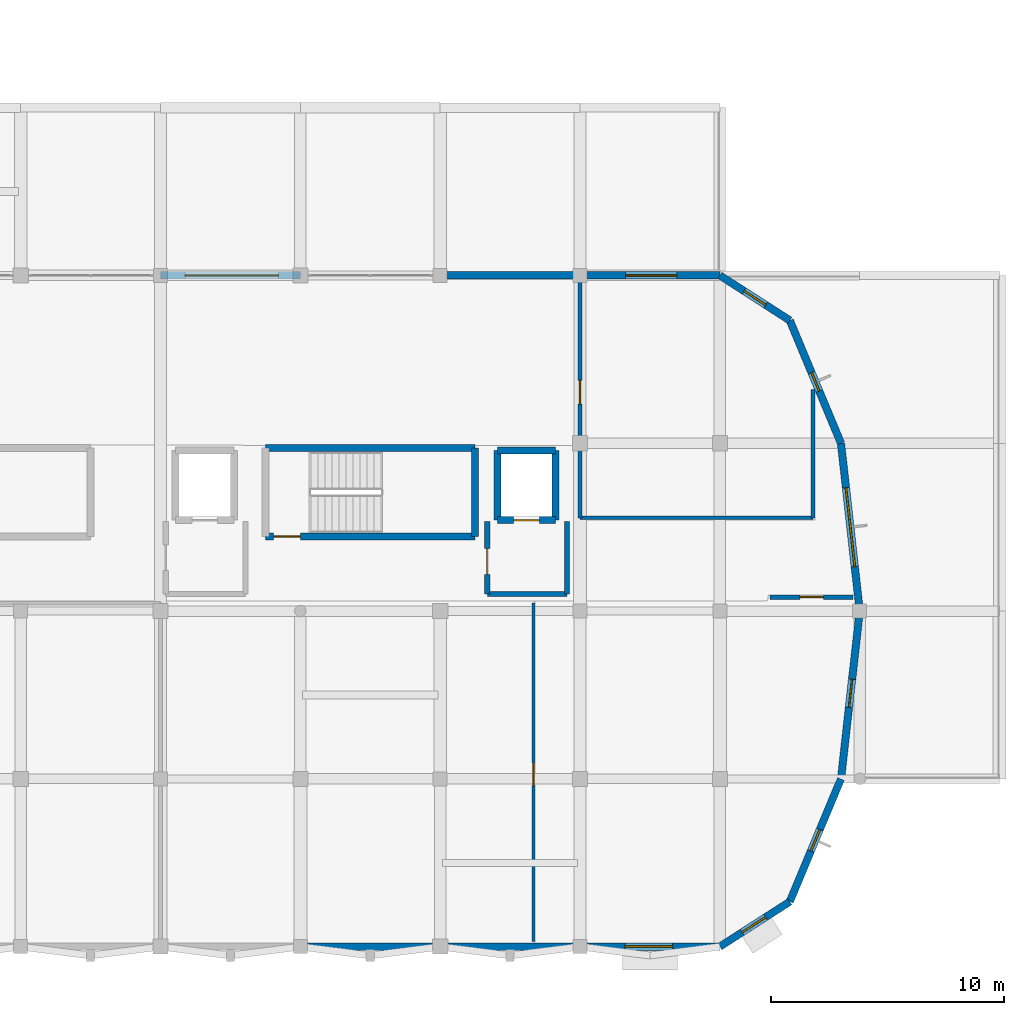
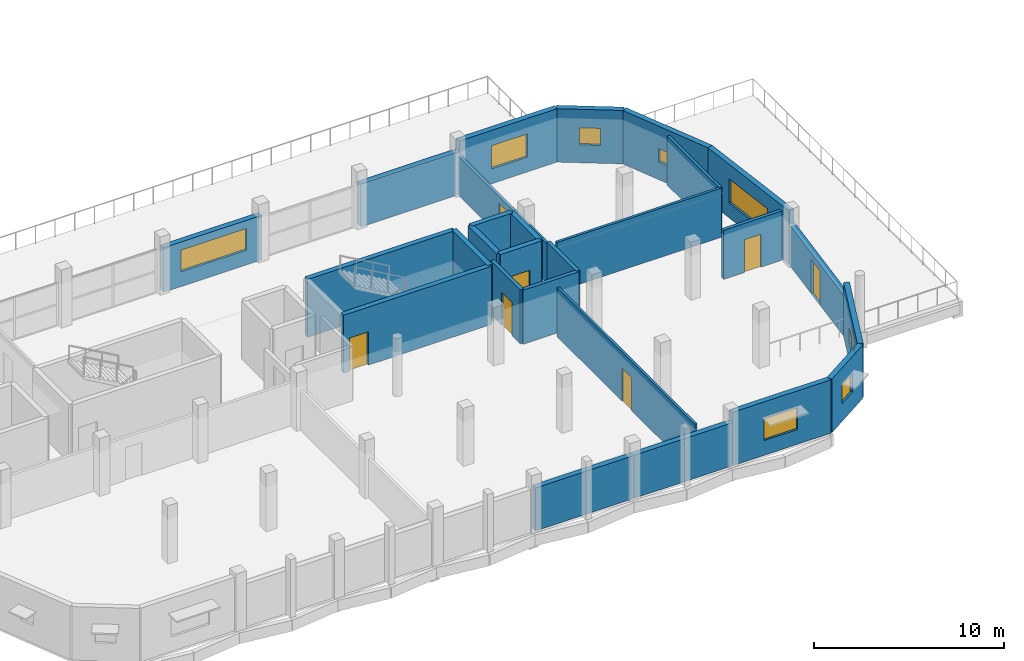
# One storey, part 13 of 19: 27 walls, 8 windows, 7 doors, 15 openings.
"""IFC4 building model written with IfcOpenShell, lengths in metres."""

from ifc_helpers import new_model, si_unit, direction, frame, frame_2d, origin, place, context, subcontext, project, spatial, rectangle, extrude, material, layer, layer_set, type_object, element, fill, save


model = new_model("IFC4")

# Units and contexts
model_context = context("Model", 3, precision=1e-05, world=origin(), true_north=direction((0.0, 1.0)))
body_context = subcontext(model_context, "Body", "Model", "MODEL_VIEW")
ifc_project = project(units=[si_unit("LENGTHUNIT", "METRE"), si_unit("AREAUNIT", "SQUARE_METRE"), si_unit("VOLUMEUNIT", "CUBIC_METRE"), si_unit("PLANEANGLEUNIT", "RADIAN"), si_unit("MASSUNIT", "GRAM", prefix="KILO")], contexts=[model_context])

# Site, building, storey
site_placement = place(None, origin())
site = spatial("IfcSite", under=ifc_project, at=site_placement, CompositionType="ELEMENT")
building_placement = place(site_placement, origin())
building = spatial("IfcBuilding", under=site, at=building_placement, Name="Dunvalen Ferry Terminal", CompositionType="ELEMENT")
storey_placement = place(building_placement, frame((0.0, 0.0, 13.580078125)))
storey = spatial("IfcBuildingStorey", under=building, at=storey_placement, Name="L03", CompositionType="ELEMENT", Elevation=13.580078125)

# Walls
ifc_material_1 = material(Name="Precast concrete C40/50", Category="concrete")
ifc_layer_1 = layer(ifc_material_1, 0.320068359375, Name="Precast concrete C40/50")
ifc_layer_set_1 = layer_set([ifc_layer_1], Name="Precast concrete C40/50")
wall_type_1 = type_object("IfcWallType", Name="ENV-WL-SPN320", PredefinedType="SOLIDWALL", material=ifc_layer_set_1)
for number, where, z_axis, x_axis, name in (
    (1, (42.0, 0.0, 0.0), (0.0, 0.0, 1.0), (1.0, 0.0, 0.0), "L03 Streamline Moderne Facade Wall 01.05"),
    (2, (48.0, 0.0, 0.0), (0.0, 0.0, 1.0), (1.0, 0.0, 0.0), "L03 Streamline Moderne Facade Wall 01.06"),
):
    element("IfcWall", number, at=place(storey_placement, frame(where, z_axis=z_axis, x_axis=x_axis)), inside=storey, type_object=wall_type_1, Name=name, PredefinedType="SOLIDWALL", context=body_context, shape_type="SweptSolid", body=[
        extrude(rectangle(XDim=6.0, YDim=0.320068359375, at=frame_2d((3.0, 0.0))), origin(), (0.0, 0.0, 1.0), 2.77001953125),
    ])

# Wall, opening, window
wall_1_placement = place(storey_placement, frame((54.0, 0.0, 0.0), z_axis=(0.0, 0.0, 1.0), x_axis=(1.0, 0.0, 0.0)))
wall_1 = element("IfcWall", 3, at=wall_1_placement, inside=storey, type_object=wall_type_1, Name="L03 Streamline Moderne Facade Wall 01.07", PredefinedType="SOLIDWALL", context=body_context, shape_type="SweptSolid", body=[
    extrude(rectangle(XDim=6.0, YDim=0.320068359375, at=frame_2d((3.0, 0.0))), origin(), (0.0, 0.0, 1.0), 3.43994140625),
])
opening_1_placement = place(wall_1_placement, frame((1.9248046875, 0.0, 0.949951171875)))
opening_1 = element("IfcOpeningElement", 4, at=opening_1_placement, cuts=wall_1, Name="Opening W-40", PredefinedType="OPENING", context=body_context, shape_type="SweptSolid", body=[
    extrude(rectangle(XDim=2.050048828125, YDim=1.39990234375, at=frame_2d((1.02490234375, 0.699951171875))), frame((0.0, 0.169921875, 0.0), z_axis=(0.0, -1.0, 0.0), x_axis=(1.0, 0.0, 0.0)), (0.0, 0.0, 1.0), 0.340087890625),
])
ifc_material_2 = material(Name="Thermally broken aluminium and double glazing", Category="aluminium")
window_type_1 = type_object("IfcWindowType", Name="ENV-WIN-RIB-40", PartitioningType="SINGLE_PANEL", PredefinedType="WINDOW", material=ifc_material_2)
window_1_placement = place(opening_1_placement, origin())
window_1 = element("IfcWindow", 5, at=window_1_placement, inside=storey, type_object=window_type_1, Name="L03 Streamline Ribbon Window 01.07", OverallHeight=1.39990234375, OverallWidth=2.050048828125, PartitioningType="SINGLE_PANEL", PredefinedType="WINDOW", context=body_context, shape_type="SweptSolid", body=[
    extrude(rectangle(XDim=2.050048828125, YDim=1.39990234375, at=frame_2d((1.02490234375, 0.699951171875))), frame((0.0, 0.030029296875, 0.0), z_axis=(0.0, -1.0, 0.0), x_axis=(1.0, 0.0, 0.0)), (0.0, 0.0, 1.0), 0.06005859375),
])
fill(opening_1, window_1)

wall_2_placement = place(storey_placement, frame((60.0, 0.0, 0.0), z_axis=(0.0, 0.0, 1.0), x_axis=(0.841098403344, 0.540882127541, 0.0)))
wall_2 = element("IfcWall", 6, at=wall_2_placement, inside=storey, type_object=wall_type_1, Name="L03 Streamline Moderne Facade Wall 02.01", PredefinedType="SOLIDWALL", context=body_context, shape_type="SweptSolid", body=[
    extrude(rectangle(XDim=3.566650390625, YDim=0.320068359375, at=frame_2d((1.783203125, 0.0))), origin(), (0.0, 0.0, 1.0), 3.43994140625),
])
opening_2_placement = place(wall_2_placement, frame((1.132568359375, 0.0, 1.14990234375)))
opening_2 = element("IfcOpeningElement", 7, at=opening_2_placement, cuts=wall_2, Name="Opening W-17", PredefinedType="OPENING", context=body_context, shape_type="SweptSolid", body=[
    extrude(rectangle(XDim=1.199951171875, YDim=1.199951171875, at=frame_2d((0.60009765625, 0.60009765625))), frame((0.0, 0.169921875, 0.0), z_axis=(0.0, -1.0, 0.0), x_axis=(1.0, 0.0, 0.0)), (0.0, 0.0, 1.0), 0.340087890625),
])
window_type_2 = type_object("IfcWindowType", Name="ENV-WIN-PRT-17", PartitioningType="SINGLE_PANEL", PredefinedType="WINDOW", material=ifc_material_2)
window_2_placement = place(opening_2_placement, origin())
window_2 = element("IfcWindow", 8, at=window_2_placement, inside=storey, type_object=window_type_2, Name="L03 Streamline Ribbon Window 02.01", OverallHeight=1.199951171875, OverallWidth=1.199951171875, PartitioningType="SINGLE_PANEL", PredefinedType="WINDOW", context=body_context, shape_type="SweptSolid", body=[
    extrude(rectangle(XDim=1.199951171875, YDim=1.199951171875, at=frame_2d((0.60009765625, 0.60009765625))), frame((0.0, 0.030029296875, 0.0), z_axis=(0.0, -1.0, 0.0), x_axis=(1.0, 0.0, 0.0)), (0.0, 0.0, 1.0), 0.06005859375),
])
fill(opening_2, window_2)

wall_3_placement = place(storey_placement, frame((63.0, 1.92919921875, 0.0), z_axis=(0.0, 0.0, 1.0), x_axis=(0.384636636219, 0.923068067955, 0.0)))
wall_3 = element("IfcWall", 9, at=wall_3_placement, inside=storey, type_object=wall_type_1, Name="L03 Streamline Moderne Facade Wall 03.01", PredefinedType="SOLIDWALL", context=body_context, shape_type="SweptSolid", body=[
    extrude(rectangle(XDim=5.7099609375, YDim=0.320068359375, at=frame_2d((2.85498046875, 0.0))), origin(), (0.0, 0.0, 1.0), 3.43994140625),
])
opening_3_placement = place(wall_3_placement, frame((2.35498046875, 0.0, 1.14990234375)))
opening_3 = element("IfcOpeningElement", 10, at=opening_3_placement, cuts=wall_3, Name="Opening W-18", PredefinedType="OPENING", context=body_context, shape_type="SweptSolid", body=[
    extrude(rectangle(XDim=1.0, YDim=1.0, at=frame_2d((0.5, 0.5))), frame((0.0, 0.169921875, 0.0), z_axis=(0.0, -1.0, 0.0), x_axis=(1.0, 0.0, 0.0)), (0.0, 0.0, 1.0), 0.340087890625),
])
window_type_3 = type_object("IfcWindowType", Name="ENV-WIN-PRT-18", PartitioningType="SINGLE_PANEL", PredefinedType="WINDOW", material=ifc_material_2)
window_3_placement = place(opening_3_placement, origin())
window_3 = element("IfcWindow", 11, at=window_3_placement, inside=storey, type_object=window_type_3, Name="L03 Streamline Ribbon Window 03.01", OverallHeight=1.0, OverallWidth=1.0, PartitioningType="SINGLE_PANEL", PredefinedType="WINDOW", context=body_context, shape_type="SweptSolid", body=[
    extrude(rectangle(XDim=1.0, YDim=1.0, at=frame_2d((0.5, 0.5))), frame((0.0, 0.030029296875, 0.0), z_axis=(0.0, -1.0, 0.0), x_axis=(1.0, 0.0, 0.0)), (0.0, 0.0, 1.0), 0.06005859375),
])
fill(opening_3, window_3)

# Wall, opening, door
wall_4_placement = place(storey_placement, frame((65.1962890625, 7.199951171875, 0.0), z_axis=(0.0, 0.0, 1.0), x_axis=(0.110938234759, 0.99382730294, 0.0)))
wall_4 = element("IfcWall", 12, at=wall_4_placement, inside=storey, type_object=wall_type_1, Name="L03 Streamline Moderne Facade Wall 04.01", PredefinedType="SOLIDWALL", context=body_context, shape_type="SweptSolid", body=[
    extrude(rectangle(XDim=7.24462890625, YDim=0.320068359375, at=frame_2d((3.622314453125, 0.0))), origin(), (0.0, 0.0, 1.0), 2.619873046875),
])
opening_4_placement = place(wall_4_placement, frame((3.09912109375, 0.0, 0.0)))
opening_4 = element("IfcOpeningElement", 13, at=opening_4_placement, cuts=wall_4, Name="Opening ED-05", PredefinedType="OPENING", context=body_context, shape_type="SweptSolid", body=[
    extrude(rectangle(XDim=1.199951171875, YDim=2.199951171875, at=frame_2d((0.60009765625, 1.10009765625))), frame((0.0, 0.169921875, 0.0), z_axis=(0.0, -1.0, 0.0), x_axis=(1.0, 0.0, 0.0)), (0.0, 0.0, 1.0), 0.340087890625),
])
ifc_material_3 = material(Name="Marine grade powder-coated aluminium and laminated glass", Category="aluminium")
door_type_1 = type_object("IfcDoorType", Name="ENV-DR-EXT-1200", OperationType="NOTDEFINED", PredefinedType="DOOR", material=ifc_material_3)
door_1_placement = place(opening_4_placement, frame((1.199951171875, 0.0, 0.0), z_axis=(0.0, 0.0, 1.0), x_axis=(-1.0, 0.0, 0.0)))
door_1 = element("IfcDoor", 14, at=door_1_placement, inside=storey, type_object=door_type_1, Name="L03 Stepped Harbour Terrace Door 3.0", OperationType="SINGLE_SWING_RIGHT", OverallHeight=2.199951171875, OverallWidth=1.199951171875, PredefinedType="DOOR", context=body_context, shape_type="SweptSolid", body=[
    extrude(rectangle(XDim=1.199951171875, YDim=2.199951171875, at=frame_2d((0.60009765625, 1.10009765625))), frame((0.0, 0.02490234375, 0.0), z_axis=(0.0, -1.0, 0.0), x_axis=(1.0, 0.0, 0.0)), (0.0, 0.0, 1.0), 0.050048828125),
])
fill(opening_4, door_1)

# Wall, opening, window
wall_5_placement = place(storey_placement, frame((66.0, 14.39990234375, 0.0), z_axis=(0.0, 0.0, 1.0), x_axis=(-0.110934519414, 0.993827717667, 0.0)))
wall_5 = element("IfcWall", 15, at=wall_5_placement, inside=storey, type_object=wall_type_1, Name="L03 Streamline Moderne Facade Wall 05.01", PredefinedType="SOLIDWALL", context=body_context, shape_type="SweptSolid", body=[
    extrude(rectangle(XDim=7.244873046875, YDim=0.320068359375, at=frame_2d((3.62255859375, 0.0))), origin(), (0.0, 0.0, 1.0), 3.43994140625),
])
opening_5_placement = place(wall_5_placement, frame((1.92236328125, 0.0, 0.949951171875)))
opening_5 = element("IfcOpeningElement", 16, at=opening_5_placement, cuts=wall_5, Name="Opening W-03", PredefinedType="OPENING", context=body_context, shape_type="SweptSolid", body=[
    extrude(rectangle(XDim=3.39990234375, YDim=1.550048828125, at=frame_2d((1.699951171875, 0.77490234375))), frame((0.0, 0.169921875, 0.0), z_axis=(0.0, -1.0, 0.0), x_axis=(1.0, 0.0, 0.0)), (0.0, 0.0, 1.0), 0.340087890625),
])
window_type_4 = type_object("IfcWindowType", Name="ENV-WIN-RIB-03", PartitioningType="SINGLE_PANEL", PredefinedType="WINDOW", material=ifc_material_2)
window_4_placement = place(opening_5_placement, origin())
window_4 = element("IfcWindow", 17, at=window_4_placement, inside=storey, type_object=window_type_4, Name="L03 Streamline Ribbon Window 05.01", OverallHeight=1.550048828125, OverallWidth=3.39990234375, PartitioningType="SINGLE_PANEL", PredefinedType="WINDOW", context=body_context, shape_type="SweptSolid", body=[
    extrude(rectangle(XDim=3.39990234375, YDim=1.550048828125, at=frame_2d((1.699951171875, 0.77490234375))), frame((0.0, 0.030029296875, 0.0), z_axis=(0.0, -1.0, 0.0), x_axis=(1.0, 0.0, 0.0)), (0.0, 0.0, 1.0), 0.06005859375),
])
fill(opening_5, window_4)

wall_6_placement = place(storey_placement, frame((65.1962890625, 21.60009765625, 0.0), z_axis=(0.0, 0.0, 1.0), x_axis=(-0.384636636219, 0.923068067955, 0.0)))
wall_6 = element("IfcWall", 18, at=wall_6_placement, inside=storey, type_object=wall_type_1, Name="L03 Streamline Moderne Facade Wall 06.01", PredefinedType="SOLIDWALL", context=body_context, shape_type="SweptSolid", body=[
    extrude(rectangle(XDim=5.7099609375, YDim=0.320068359375, at=frame_2d((2.85498046875, 0.0))), origin(), (0.0, 0.0, 1.0), 3.43994140625),
])
opening_6_placement = place(wall_6_placement, frame((2.429931640625, 0.0, 1.14990234375)))
opening_6 = element("IfcOpeningElement", 19, at=opening_6_placement, cuts=wall_6, Name="Opening W-20", PredefinedType="OPENING", context=body_context, shape_type="SweptSolid", body=[
    extrude(rectangle(XDim=0.85009765625, YDim=0.85009765625, at=frame_2d((0.425048828125, 0.425048828125))), frame((0.0, 0.169921875, 0.0), z_axis=(0.0, -1.0, 0.0), x_axis=(1.0, 0.0, 0.0)), (0.0, 0.0, 1.0), 0.340087890625),
])
window_type_5 = type_object("IfcWindowType", Name="ENV-WIN-PRT-20", PartitioningType="SINGLE_PANEL", PredefinedType="WINDOW", material=ifc_material_2)
window_5_placement = place(opening_6_placement, origin())
window_5 = element("IfcWindow", 20, at=window_5_placement, inside=storey, type_object=window_type_5, Name="L03 Streamline Ribbon Window 06.01", OverallHeight=0.85009765625, OverallWidth=0.85009765625, PartitioningType="SINGLE_PANEL", PredefinedType="WINDOW", context=body_context, shape_type="SweptSolid", body=[
    extrude(rectangle(XDim=0.85009765625, YDim=0.85009765625, at=frame_2d((0.425048828125, 0.425048828125))), frame((0.0, 0.030029296875, 0.0), z_axis=(0.0, -1.0, 0.0), x_axis=(1.0, 0.0, 0.0)), (0.0, 0.0, 1.0), 0.06005859375),
])
fill(opening_6, window_5)

wall_7_placement = place(storey_placement, frame((63.0, 26.870849609375, 0.0), z_axis=(0.0, 0.0, 1.0), x_axis=(-0.841098403344, 0.540882127541, 0.0)))
wall_7 = element("IfcWall", 21, at=wall_7_placement, inside=storey, type_object=wall_type_1, Name="L03 Streamline Moderne Facade Wall 07.01", PredefinedType="SOLIDWALL", context=body_context, shape_type="SweptSolid", body=[
    extrude(rectangle(XDim=3.566650390625, YDim=0.320068359375, at=frame_2d((1.783203125, 0.0))), origin(), (0.0, 0.0, 1.0), 3.43994140625),
])
opening_7_placement = place(wall_7_placement, frame((1.2333984375, 0.0, 1.14990234375)))
opening_7 = element("IfcOpeningElement", 22, at=opening_7_placement, cuts=wall_7, Name="Opening W-41", PredefinedType="OPENING", context=body_context, shape_type="SweptSolid", body=[
    extrude(rectangle(XDim=1.10009765625, YDim=1.10009765625, at=frame_2d((0.550048828125, 0.550048828125))), frame((0.0, 0.169921875, 0.0), z_axis=(0.0, -1.0, 0.0), x_axis=(1.0, 0.0, 0.0)), (0.0, 0.0, 1.0), 0.340087890625),
])
window_type_6 = type_object("IfcWindowType", Name="ENV-WIN-PRT-41", PartitioningType="SINGLE_PANEL", PredefinedType="WINDOW", material=ifc_material_2)
window_6_placement = place(opening_7_placement, origin())
window_6 = element("IfcWindow", 23, at=window_6_placement, inside=storey, type_object=window_type_6, Name="L03 Streamline Ribbon Window 07.01", OverallHeight=1.10009765625, OverallWidth=1.10009765625, PartitioningType="SINGLE_PANEL", PredefinedType="WINDOW", context=body_context, shape_type="SweptSolid", body=[
    extrude(rectangle(XDim=1.10009765625, YDim=1.10009765625, at=frame_2d((0.550048828125, 0.550048828125))), frame((0.0, 0.030029296875, 0.0), z_axis=(0.0, -1.0, 0.0), x_axis=(1.0, 0.0, 0.0)), (0.0, 0.0, 1.0), 0.06005859375),
])
fill(opening_7, window_6)

wall_8_placement = place(storey_placement, frame((60.0, 28.800048828125, 0.0), z_axis=(0.0, 0.0, 1.0), x_axis=(-1.0, 0.0, 0.0)))
wall_8 = element("IfcWall", 24, at=wall_8_placement, inside=storey, type_object=wall_type_1, Name="L03 Streamline Moderne Facade Wall 08.01", PredefinedType="SOLIDWALL", context=body_context, shape_type="SweptSolid", body=[
    extrude(rectangle(XDim=6.0, YDim=0.320068359375, at=frame_2d((3.0, 0.0))), origin(), (0.0, 0.0, 1.0), 3.43994140625),
])
opening_8_placement = place(wall_8_placement, frame((1.84912109375, 0.0, 0.949951171875)))
opening_8 = element("IfcOpeningElement", 25, at=opening_8_placement, cuts=wall_8, Name="Opening W-06", PredefinedType="OPENING", context=body_context, shape_type="SweptSolid", body=[
    extrude(rectangle(XDim=2.199951171875, YDim=1.5, at=frame_2d((1.10009765625, 0.75))), frame((0.0, 0.169921875, 0.0), z_axis=(0.0, -1.0, 0.0), x_axis=(1.0, 0.0, 0.0)), (0.0, 0.0, 1.0), 0.340087890625),
])
window_type_7 = type_object("IfcWindowType", Name="ENV-WIN-RIB-06", PartitioningType="SINGLE_PANEL", PredefinedType="WINDOW", material=ifc_material_2)
window_7_placement = place(opening_8_placement, origin())
window_7 = element("IfcWindow", 26, at=window_7_placement, inside=storey, type_object=window_type_7, Name="L03 Streamline Ribbon Window 08.01", OverallHeight=1.5, OverallWidth=2.199951171875, PartitioningType="SINGLE_PANEL", PredefinedType="WINDOW", context=body_context, shape_type="SweptSolid", body=[
    extrude(rectangle(XDim=2.199951171875, YDim=1.5, at=frame_2d((1.10009765625, 0.75))), frame((0.0, 0.030029296875, 0.0), z_axis=(0.0, -1.0, 0.0), x_axis=(1.0, 0.0, 0.0)), (0.0, 0.0, 1.0), 0.06005859375),
])
fill(opening_8, window_7)

# Wall
wall_9_placement = place(storey_placement, frame((54.0, 28.800048828125, 0.0), z_axis=(0.0, 0.0, 1.0), x_axis=(-1.0, 0.0, 0.0)))
element("IfcWall", 27, at=wall_9_placement, inside=storey, type_object=wall_type_1, Name="L03 Streamline Moderne Facade Wall 08.02", PredefinedType="SOLIDWALL", context=body_context, shape_type="SweptSolid", body=[
    extrude(rectangle(XDim=6.0, YDim=0.320068359375, at=frame_2d((3.0, 0.0))), origin(), (0.0, 0.0, 1.0), 2.77001953125),
])

# Wall, opening, window
wall_10_placement = place(storey_placement, frame((42.0, 28.800048828125, 0.0), z_axis=(0.0, 0.0, 1.0), x_axis=(-1.0, 0.0, 0.0)))
wall_10 = element("IfcWall", 28, at=wall_10_placement, inside=storey, type_object=wall_type_1, Name="L03 Streamline Moderne Facade Wall 08.04", PredefinedType="SOLIDWALL", context=body_context, shape_type="SweptSolid", body=[
    extrude(rectangle(XDim=6.0, YDim=0.320068359375, at=frame_2d((3.0, 0.0))), origin(), (0.0, 0.0, 1.0), 2.869873046875),
])
opening_9_placement = place(wall_10_placement, frame((0.94775390625, 0.0, 0.949951171875)))
opening_9 = element("IfcOpeningElement", 29, at=opening_9_placement, cuts=wall_10, Name="Opening W-07", PredefinedType="OPENING", context=body_context, shape_type="SweptSolid", body=[
    extrude(rectangle(XDim=4.0, YDim=1.39990234375, at=frame_2d((2.0, 0.699951171875))), frame((0.0, 0.169921875, 0.0), z_axis=(0.0, -1.0, 0.0), x_axis=(1.0, 0.0, 0.0)), (0.0, 0.0, 1.0), 0.340087890625),
])
window_type_8 = type_object("IfcWindowType", Name="ENV-WIN-RIB-07", PartitioningType="SINGLE_PANEL", PredefinedType="WINDOW", material=ifc_material_2)
window_8_placement = place(opening_9_placement, origin())
window_8 = element("IfcWindow", 30, at=window_8_placement, inside=storey, type_object=window_type_8, Name="L03 Streamline Ribbon Window 08.04", OverallHeight=1.39990234375, OverallWidth=4.0, PartitioningType="SINGLE_PANEL", PredefinedType="WINDOW", context=body_context, shape_type="SweptSolid", body=[
    extrude(rectangle(XDim=4.0, YDim=1.39990234375, at=frame_2d((2.0, 0.699951171875))), frame((0.0, 0.030029296875, 0.0), z_axis=(0.0, -1.0, 0.0), x_axis=(1.0, 0.0, 0.0)), (0.0, 0.0, 1.0), 0.06005859375),
])
fill(opening_9, window_8)

# Wall, opening, door
ifc_material_4 = material(Name="Autoclaved aerated concrete blockwork", Category="masonry")
ifc_layer_2 = layer(ifc_material_4, 0.199951171875, Name="Autoclaved aerated concrete blockwork")
ifc_layer_set_2 = layer_set([ifc_layer_2], Name="Autoclaved aerated concrete blockwork")
wall_type_2 = type_object("IfcWallType", Name="INT-WL-CMP200", PredefinedType="PARTITIONING", material=ifc_layer_set_2)
wall_11_placement = place(storey_placement, frame((65.711669921875, 15.0, 0.0), z_axis=(0.0, 0.0, 1.0), x_axis=(-1.0, 0.0, 0.0)))
wall_11 = element("IfcWall", 31, at=wall_11_placement, inside=storey, type_object=wall_type_2, Name="L03 L03 Marine Radar Telemetry and AIS Server Room Partition 2", PredefinedType="PARTITIONING", context=body_context, shape_type="SweptSolid", body=[
    extrude(rectangle(XDim=3.5517578125, YDim=0.199951171875, at=frame_2d((1.77587890625, 0.0))), origin(), (0.0, 0.0, 1.0), 3.169921875),
])
opening_10_placement = place(wall_11_placement, frame((1.27587890625, 0.0, 0.0)))
opening_10 = element("IfcOpeningElement", 32, at=opening_10_placement, cuts=wall_11, Name="Opening ID-10", PredefinedType="OPENING", context=body_context, shape_type="SweptSolid", body=[
    extrude(rectangle(XDim=1.0, YDim=2.1201171875, at=frame_2d((0.5, 1.06005859375))), frame((0.0, 0.10986328125, 0.0), z_axis=(0.0, -1.0, 0.0), x_axis=(1.0, 0.0, 0.0)), (0.0, 0.0, 1.0), 0.219970703125),
])
ifc_material_5 = material(Name="FSC European oak acoustic fire door", Category="wood")
door_type_2 = type_object("IfcDoorType", Name="INT-DR-OFF-1000", OperationType="NOTDEFINED", PredefinedType="DOOR", material=ifc_material_5)
door_2_placement = place(opening_10_placement, origin())
door_2 = element("IfcDoor", 33, at=door_2_placement, inside=storey, type_object=door_type_2, Name="L03 Marine Radar Telemetry and AIS Server Room Door", OperationType="SINGLE_SWING_LEFT", OverallHeight=2.1201171875, OverallWidth=1.0, PredefinedType="DOOR", context=body_context, shape_type="SweptSolid", body=[
    extrude(rectangle(XDim=1.0, YDim=2.1201171875, at=frame_2d((0.5, 1.06005859375))), frame((0.0, 0.02490234375, 0.0), z_axis=(0.0, -1.0, 0.0), x_axis=(1.0, 0.0, 0.0)), (0.0, 0.0, 1.0), 0.050048828125),
])
fill(opening_10, door_2)

ifc_material_6 = material(Name="Concrete C35/45", Category="concrete")
ifc_layer_3 = layer(ifc_material_6, 0.219970703125, Name="Concrete C35/45")
ifc_layer_set_3 = layer_set([ifc_layer_3], Name="Concrete C35/45")
wall_type_3 = type_object("IfcWallType", Name="INT-WL-CMP220", PredefinedType="SOLIDWALL", material=ifc_layer_set_3)
wall_12_placement = place(storey_placement, frame((50.02001953125, 18.25, 0.0), z_axis=(0.0, 0.0, 1.0), x_axis=(0.0, -1.0, 0.0)))
wall_12 = element("IfcWall", 34, at=wall_12_placement, inside=storey, type_object=wall_type_3, Name="L03 L03 Firefighting Lift Lobby LF-02 Partition 1", PredefinedType="SOLIDWALL", context=body_context, shape_type="SweptSolid", body=[
    extrude(rectangle(XDim=3.110107421875, YDim=0.219970703125, at=frame_2d((1.55517578125, 0.0))), origin(), (0.0, 0.0, 1.0), 3.47998046875),
])
opening_11_placement = place(wall_12_placement, frame((1.171142578125, 0.0, 0.0)))
opening_11 = element("IfcOpeningElement", 35, at=opening_11_placement, cuts=wall_12, Name="Opening ID-03", PredefinedType="OPENING", context=body_context, shape_type="SweptSolid", body=[
    extrude(rectangle(XDim=1.10009765625, YDim=2.14990234375, at=frame_2d((0.550048828125, 1.074951171875))), frame((0.0, 0.1201171875, 0.0), z_axis=(0.0, -1.0, 0.0), x_axis=(1.0, 0.0, 0.0)), (0.0, 0.0, 1.0), 0.239990234375),
])
ifc_material_7 = material(Name="Powder-coated steel fire door", Category="steel")
door_type_3 = type_object("IfcDoorType", Name="INT-DR-FFL-1100", OperationType="NOTDEFINED", PredefinedType="DOOR", material=ifc_material_7)
door_3_placement = place(opening_11_placement, origin())
door_3 = element("IfcDoor", 36, at=door_3_placement, inside=storey, type_object=door_type_3, Name="L03 Firefighting Lift Lobby LF-02 Door", OperationType="SINGLE_SWING_RIGHT", OverallHeight=2.14990234375, OverallWidth=1.10009765625, PredefinedType="DOOR", context=body_context, shape_type="SweptSolid", body=[
    extrude(rectangle(XDim=1.10009765625, YDim=2.14990234375, at=frame_2d((0.550048828125, 1.074951171875))), frame((0.0, 0.02490234375, 0.0), z_axis=(0.0, -1.0, 0.0), x_axis=(1.0, 0.0, 0.0)), (0.0, 0.0, 1.0), 0.050048828125),
])
fill(opening_11, door_3)

# Walls
wall_13_placement = place(storey_placement, frame((50.02001953125, 15.139892578125, 0.0), z_axis=(0.0, 0.0, 1.0), x_axis=(1.0, 0.0, 0.0)))
element("IfcWall", 37, at=wall_13_placement, inside=storey, type_object=wall_type_3, Name="L03 L03 Firefighting Lift Lobby LF-02 Partition 2", PredefinedType="SOLIDWALL", context=body_context, shape_type="SweptSolid", body=[
    extrude(rectangle(XDim=3.419921875, YDim=0.219970703125, at=frame_2d((1.7099609375, 0.0))), origin(), (0.0, 0.0, 1.0), 3.47998046875),
])
wall_14_placement = place(storey_placement, frame((53.43994140625, 15.139892578125, 0.0), z_axis=(0.0, 0.0, 1.0), x_axis=(0.0, 1.0, 0.0)))
element("IfcWall", 38, at=wall_14_placement, inside=storey, type_object=wall_type_3, Name="L03 L03 Firefighting Lift Lobby LF-02 Partition 3", PredefinedType="SOLIDWALL", context=body_context, shape_type="SweptSolid", body=[
    extrude(rectangle(XDim=3.110107421875, YDim=0.219970703125, at=frame_2d((1.55517578125, 0.0))), origin(), (0.0, 0.0, 1.0), 3.47998046875),
])

# Wall, opening, door
ifc_material_8 = material(Name="Metal-stud gypsum partition", Category="gypsum")
ifc_layer_4 = layer(ifc_material_8, 0.139892578125, Name="Metal-stud gypsum partition")
ifc_layer_set_4 = layer_set([ifc_layer_4], Name="Metal-stud gypsum partition")
wall_type_4 = type_object("IfcWallType", Name="INT-WL-PRT140", PredefinedType="PARTITIONING", material=ifc_layer_set_4)
wall_15_placement = place(storey_placement, frame((52.0, 0.219970703125, 0.0), z_axis=(0.0, 0.0, 1.0), x_axis=(0.0, 1.0, 0.0)))
wall_15 = element("IfcWall", 39, at=wall_15_placement, inside=storey, type_object=wall_type_4, Name="L03 L03 Port Health Inspection and Medical Briefing Room Partition 3", PredefinedType="PARTITIONING", context=body_context, shape_type="SweptSolid", body=[
    extrude(rectangle(XDim=14.52001953125, YDim=0.139892578125, at=frame_2d((7.260009765625, 0.0))), origin(), (0.0, 0.0, 1.0), 3.169921875),
])
opening_12_placement = place(wall_15_placement, frame((6.6943359375, 0.0, 0.0)))
opening_12 = element("IfcOpeningElement", 40, at=opening_12_placement, cuts=wall_15, Name="Opening ID-11", PredefinedType="OPENING", context=body_context, shape_type="SweptSolid", body=[
    extrude(rectangle(XDim=0.97998046875, YDim=2.1201171875, at=frame_2d((0.489990234375, 1.06005859375))), frame((0.0, 0.080078125, 0.0), z_axis=(0.0, -1.0, 0.0), x_axis=(1.0, 0.0, 0.0)), (0.0, 0.0, 1.0), 0.159912109375),
])
door_type_4 = type_object("IfcDoorType", Name="INT-DR-OFF-0980", OperationType="NOTDEFINED", PredefinedType="DOOR", material=ifc_material_5)
door_4_placement = place(opening_12_placement, origin())
door_4 = element("IfcDoor", 41, at=door_4_placement, inside=storey, type_object=door_type_4, Name="L03 Port Health Inspection and Medical Briefing Room Door", OperationType="SINGLE_SWING_RIGHT", OverallHeight=2.1201171875, OverallWidth=0.97998046875, PredefinedType="DOOR", context=body_context, shape_type="SweptSolid", body=[
    extrude(rectangle(XDim=0.97998046875, YDim=2.1201171875, at=frame_2d((0.489990234375, 1.06005859375))), frame((0.0, 0.02490234375, 0.0), z_axis=(0.0, -1.0, 0.0), x_axis=(1.0, 0.0, 0.0)), (0.0, 0.0, 1.0), 0.050048828125),
])
fill(opening_12, door_4)

ifc_material_9 = material(Name="Moisture-resistant tile-backer partition", Category="gypsum")
ifc_layer_5 = layer(ifc_material_9, 0.159912109375, Name="Moisture-resistant tile-backer partition")
ifc_layer_set_5 = layer_set([ifc_layer_5], Name="Moisture-resistant tile-backer partition")
wall_type_5 = type_object("IfcWallType", Name="INT-WL-PRT160", PredefinedType="PARTITIONING", material=ifc_layer_set_5)
wall_16_placement = place(storey_placement, frame((54.0, 28.580078125, 0.0), z_axis=(0.0, 0.0, 1.0), x_axis=(0.0, -1.0, 0.0)))
wall_16 = element("IfcWall", 42, at=wall_16_placement, inside=storey, type_object=wall_type_5, Name="L03 L03 Pilotage Staff and Accessible Toilets Partition 4", PredefinedType="PARTITIONING", context=body_context, shape_type="SweptSolid", body=[
    extrude(rectangle(XDim=10.18017578125, YDim=0.159912109375, at=frame_2d((5.090087890625, 0.0))), origin(), (0.0, 0.0, 1.0), 2.52001953125),
])
opening_13_placement = place(wall_16_placement, frame((4.277099609375, 0.0, 0.0)))
opening_13 = element("IfcOpeningElement", 43, at=opening_13_placement, cuts=wall_16, Name="Opening ID-13", PredefinedType="OPENING", context=body_context, shape_type="SweptSolid", body=[
    extrude(rectangle(XDim=1.02001953125, YDim=2.10009765625, at=frame_2d((0.510009765625, 1.050048828125))), frame((0.0, 0.08984375, 0.0), z_axis=(0.0, -1.0, 0.0), x_axis=(1.0, 0.0, 0.0)), (0.0, 0.0, 1.0), 0.179931640625),
])
ifc_material_10 = material(Name="High-pressure laminate moisture-resistant door", Category="wood")
door_type_5 = type_object("IfcDoorType", Name="INT-DR-WC-1020", OperationType="NOTDEFINED", PredefinedType="DOOR", material=ifc_material_10)
door_5_placement = place(opening_13_placement, origin())
door_5 = element("IfcDoor", 44, at=door_5_placement, inside=storey, type_object=door_type_5, Name="L03 Pilotage Staff and Accessible Toilets Door", OperationType="SINGLE_SWING_LEFT", OverallHeight=2.10009765625, OverallWidth=1.02001953125, PredefinedType="DOOR", context=body_context, shape_type="SweptSolid", body=[
    extrude(rectangle(XDim=1.02001953125, YDim=2.10009765625, at=frame_2d((0.510009765625, 1.050048828125))), frame((0.0, 0.02490234375, 0.0), z_axis=(0.0, -1.0, 0.0), x_axis=(1.0, 0.0, 0.0)), (0.0, 0.0, 1.0), 0.050048828125),
])
fill(opening_13, door_5)

# Walls
wall_17_placement = place(storey_placement, frame((54.0, 18.39990234375, 0.0), z_axis=(0.0, 0.0, 1.0), x_axis=(1.0, 0.0, 0.0)))
element("IfcWall", 45, at=wall_17_placement, inside=storey, type_object=wall_type_5, Name="L03 L03 Pilotage Staff and Accessible Toilets Partition 5", PredefinedType="PARTITIONING", context=body_context, shape_type="SweptSolid", body=[
    extrude(rectangle(XDim=10.0, YDim=0.159912109375, at=frame_2d((5.0, 0.0))), origin(), (0.0, 0.0, 1.0), 3.169921875),
])
wall_18_placement = place(storey_placement, frame((64.0, 18.39990234375, 0.0), z_axis=(0.0, 0.0, 1.0), x_axis=(0.0, 1.0, 0.0)))
element("IfcWall", 46, at=wall_18_placement, inside=storey, type_object=wall_type_5, Name="L03 L03 Pilotage Staff and Accessible Toilets Partition 6", PredefinedType="PARTITIONING", context=body_context, shape_type="SweptSolid", body=[
    extrude(rectangle(XDim=5.498779296875, YDim=0.159912109375, at=frame_2d((2.74951171875, 0.0))), origin(), (0.0, 0.0, 1.0), 3.169921875),
])
ifc_material_11 = material(Name="Concrete C40/50", Category="concrete")
ifc_layer_6 = layer(ifc_material_11, 0.300048828125, Name="Concrete C40/50")
ifc_layer_set_6 = layer_set([ifc_layer_6], Name="Concrete C40/50")
wall_type_6 = type_object("IfcWallType", Name="STR-WL-SHR300", PredefinedType="SHEAR", material=ifc_layer_set_6)
wall_19_placement = place(storey_placement, frame((49.5, 17.60009765625, 0.0), z_axis=(0.0, 0.0, 1.0), x_axis=(0.0, 1.0, 0.0)))
element("IfcWall", 47, at=wall_19_placement, inside=storey, type_object=wall_type_6, Name="L03 ST2 Core East Shear Wall", PredefinedType="SHEAR", context=body_context, shape_type="SweptSolid", body=[
    extrude(rectangle(XDim=3.7998046875, YDim=0.300048828125, at=frame_2d((1.89990234375, 0.0))), origin(), (0.0, 0.0, 1.0), 3.739990234375),
])
wall_20_placement = place(storey_placement, frame((40.5, 21.39990234375, 0.0), z_axis=(0.0, 0.0, 1.0), x_axis=(1.0, 0.0, 0.0)))
element("IfcWall", 48, at=wall_20_placement, inside=storey, type_object=wall_type_6, Name="L03 ST2 Core North Shear Wall", PredefinedType="SHEAR", context=body_context, shape_type="SweptSolid", body=[
    extrude(rectangle(XDim=9.0, YDim=0.300048828125, at=frame_2d((4.5, 0.0))), origin(), (0.0, 0.0, 1.0), 3.739990234375),
])

# Wall, opening, door
wall_21_placement = place(storey_placement, frame((40.5, 17.60009765625, 0.0), z_axis=(0.0, 0.0, 1.0), x_axis=(1.0, 0.0, 0.0)))
wall_21 = element("IfcWall", 49, at=wall_21_placement, inside=storey, type_object=wall_type_6, Name="L03 ST2 Core South Shear Wall", PredefinedType="SHEAR", context=body_context, shape_type="SweptSolid", body=[
    extrude(rectangle(XDim=9.0, YDim=0.300048828125, at=frame_2d((4.5, 0.0))), origin(), (0.0, 0.0, 1.0), 3.739990234375),
])
opening_14_placement = place(wall_21_placement, frame((0.35009765625, 0.0, 0.0)))
opening_14 = element("IfcOpeningElement", 50, at=opening_14_placement, cuts=wall_21, Name="Opening ID-02", PredefinedType="OPENING", context=body_context, shape_type="SweptSolid", body=[
    extrude(rectangle(XDim=1.14990234375, YDim=2.14990234375, at=frame_2d((0.574951171875, 1.074951171875))), frame((0.0, 0.16015625, 0.0), z_axis=(0.0, -1.0, 0.0), x_axis=(1.0, 0.0, 0.0)), (0.0, 0.0, 1.0), 0.320068359375),
])
door_type_6 = type_object("IfcDoorType", Name="INT-DR-STR-1150", OperationType="NOTDEFINED", PredefinedType="DOOR", material=ifc_material_7)
door_6_placement = place(opening_14_placement, frame((1.14990234375, 0.0, 0.0), z_axis=(0.0, 0.0, 1.0), x_axis=(-1.0, 0.0, 0.0)))
door_6 = element("IfcDoor", 51, at=door_6_placement, inside=storey, type_object=door_type_6, Name="L03 ST2 Escape Stair Fire Door", OperationType="SINGLE_SWING_LEFT", OverallHeight=2.14990234375, OverallWidth=1.14990234375, PredefinedType="DOOR", context=body_context, shape_type="SweptSolid", body=[
    extrude(rectangle(XDim=1.14990234375, YDim=2.14990234375, at=frame_2d((0.574951171875, 1.074951171875))), frame((0.0, 0.02490234375, 0.0), z_axis=(0.0, -1.0, 0.0), x_axis=(1.0, 0.0, 0.0)), (0.0, 0.0, 1.0), 0.050048828125),
])
fill(opening_14, door_6)

wall_22_placement = place(storey_placement, frame((50.449951171875, 18.300048828125, 0.0), z_axis=(0.0, 0.0, 1.0), x_axis=(1.0, 0.0, 0.0)))
wall_22 = element("IfcWall", 52, at=wall_22_placement, inside=storey, type_object=wall_type_6, Name="L03 LF-02 Lift Shaft S Wall", PredefinedType="SHEAR", context=body_context, shape_type="SweptSolid", body=[
    extrude(rectangle(XDim=2.5, YDim=0.300048828125, at=frame_2d((1.25, 0.0))), origin(), (0.0, 0.0, 1.0), 3.739990234375),
])
opening_15_placement = place(wall_22_placement, frame((0.699951171875, 0.0, 0.0)))
opening_15 = element("IfcOpeningElement", 53, at=opening_15_placement, cuts=wall_22, Name="Opening LD-01", PredefinedType="OPENING", context=body_context, shape_type="SweptSolid", body=[
    extrude(rectangle(XDim=1.10009765625, YDim=2.10009765625, at=frame_2d((0.550048828125, 1.050048828125))), frame((0.0, 0.16015625, 0.0), z_axis=(0.0, -1.0, 0.0), x_axis=(1.0, 0.0, 0.0)), (0.0, 0.0, 1.0), 0.320068359375),
])
ifc_material_12 = material(Name="Brushed 316 stainless steel", Category="steel")
door_type_7 = type_object("IfcDoorType", Name="INT-DR-LFT-1100", OperationType="SLIDING_TO_LEFT", PredefinedType="DOOR", material=ifc_material_12)
door_7_placement = place(opening_15_placement, origin())
door_7 = element("IfcDoor", 54, at=door_7_placement, inside=storey, type_object=door_type_7, Name="L03 LF-02 Lift Sliding Landing Door", OperationType="SLIDING_TO_LEFT", OverallHeight=2.10009765625, OverallWidth=1.10009765625, PredefinedType="DOOR", context=body_context, shape_type="SweptSolid", body=[
    extrude(rectangle(XDim=1.10009765625, YDim=2.10009765625, at=frame_2d((0.550048828125, 1.050048828125))), frame((0.0, 0.02490234375, 0.0), z_axis=(0.0, -1.0, 0.0), x_axis=(1.0, 0.0, 0.0)), (0.0, 0.0, 1.0), 0.050048828125),
])
fill(opening_15, door_7)

# Walls
wall_23_placement = place(storey_placement, frame((50.449951171875, 21.300048828125, 0.0), z_axis=(0.0, 0.0, 1.0), x_axis=(1.0, 0.0, 0.0)))
element("IfcWall", 55, at=wall_23_placement, inside=storey, type_object=wall_type_6, Name="L03 LF-02 Lift Shaft N Wall", PredefinedType="SHEAR", context=body_context, shape_type="SweptSolid", body=[
    extrude(rectangle(XDim=2.5, YDim=0.300048828125, at=frame_2d((1.25, 0.0))), origin(), (0.0, 0.0, 1.0), 3.739990234375),
])
for number, where, z_axis, x_axis, name in (
    (56, (50.449951171875, 18.300048828125, 0.0), (0.0, 0.0, 1.0), (0.0, 1.0, 0.0), "L03 LF-02 Lift Shaft W Wall"),
    (57, (52.949951171875, 18.300048828125, 0.0), (0.0, 0.0, 1.0), (0.0, 1.0, 0.0), "L03 LF-02 Lift Shaft E Wall"),
):
    element("IfcWall", number, at=place(storey_placement, frame(where, z_axis=z_axis, x_axis=x_axis)), inside=storey, type_object=wall_type_6, Name=name, PredefinedType="SHEAR", context=body_context, shape_type="SweptSolid", body=[
        extrude(rectangle(XDim=3.0, YDim=0.300048828125, at=frame_2d((1.5, 0.0))), origin(), (0.0, 0.0, 1.0), 3.739990234375),
    ])

save(model, "model.ifc")
